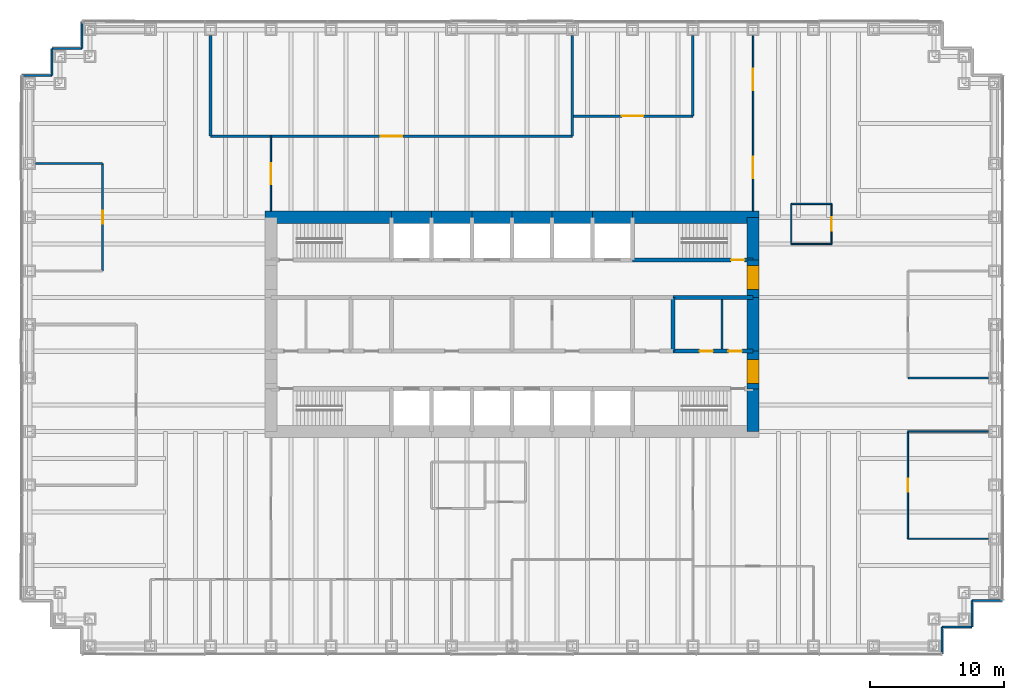
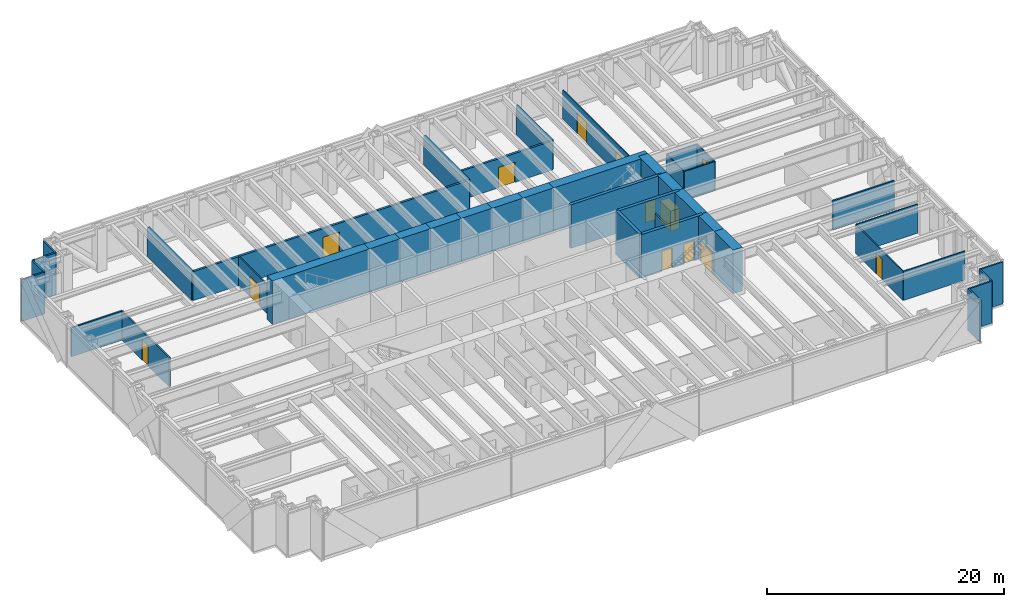
# One storey, part 11 of 13: 43 walls, 13 doors, 13 openings.
"""IFC4 building model written with IfcOpenShell, lengths in metres."""

from ifc_helpers import new_model, si_unit, direction, frame, frame_2d, origin, place, context, subcontext, project, spatial, rectangle, extrude, material, layer, layer_set, type_object, element, fill, save


model = new_model("IFC4")

# Units and contexts
model_context = context("Model", 3, precision=1e-05, world=origin(), true_north=direction((0.0, 1.0)))
body_context = subcontext(model_context, "Body", "Model", "MODEL_VIEW")
ifc_project = project(units=[si_unit("LENGTHUNIT", "METRE"), si_unit("AREAUNIT", "SQUARE_METRE"), si_unit("VOLUMEUNIT", "CUBIC_METRE"), si_unit("PLANEANGLEUNIT", "RADIAN"), si_unit("MASSUNIT", "GRAM", prefix="KILO")], contexts=[model_context])

# Site, building, storey
site_placement = place(None, origin())
site = spatial("IfcSite", under=ifc_project, at=site_placement, CompositionType="ELEMENT")
building_placement = place(site_placement, origin())
building = spatial("IfcBuilding", under=site, at=building_placement, Name="Rheinbord Bourse Tower", CompositionType="ELEMENT")
storey_placement = place(building_placement, frame((0.0, 0.0, 59.0)))
storey = spatial("IfcBuildingStorey", under=building, at=storey_placement, Name="L12", CompositionType="ELEMENT", Elevation=59.0)

# Wall, opening, door
ifc_material_1 = material(Name="Acoustic gypsum board partition", Category="gypsum board")
ifc_layer_1 = layer(ifc_material_1, 0.199951171875)
ifc_layer_set_1 = layer_set([ifc_layer_1], Name="ACOUSTIC PARTITION 200")
wall_type_1 = type_object("IfcWallType", Name="ACOUSTIC PARTITION 200", PredefinedType="PARTITIONING", material=ifc_layer_set_1)
wall_1_placement = place(storey_placement, frame((13.5, 38.050048828125, 0.0), z_axis=(0.0, 0.0, 1.0), x_axis=(1.0, 0.0, 0.0)))
wall_1 = element("IfcWall", 1, at=wall_1_placement, inside=storey, type_object=wall_type_1, Name="Partition L12-18", PredefinedType="PARTITIONING", context=body_context, shape_type="SweptSolid", body=[
    extrude(rectangle(XDim=27.0, YDim=0.199951171875, at=frame_2d((13.5, 0.0))), origin(), (0.0, 0.0, 1.0), 3.0),
])
opening_1_placement = place(wall_1_placement, frame((12.699951171875, 0.0, 0.0)))
opening_1 = element("IfcOpeningElement", 2, at=opening_1_placement, cuts=wall_1, Name="Opening 12D16", PredefinedType="OPENING", context=body_context, shape_type="SweptSolid", body=[
    extrude(rectangle(XDim=1.60009765625, YDim=2.10009765625, at=frame_2d((0.800048828125, 1.050048828125))), frame((0.0, 0.10986328125, 0.0), z_axis=(0.0, -1.0, 0.0), x_axis=(1.0, 0.0, 0.0)), (0.0, 0.0, 1.0), 0.219970703125),
])
ifc_material_2 = material(Name="Timber door", Category="wood")
door_type_1 = type_object("IfcDoorType", Name="DOUBLE ROOM DOOR 1600", OperationType="DOUBLE_DOOR_DOUBLE_SWING", PredefinedType="DOOR", material=ifc_material_2)
door_1_placement = place(opening_1_placement, origin())
door_1 = element("IfcDoor", 3, at=door_1_placement, inside=storey, type_object=door_type_1, Name="Clearing operations room door L12", OperationType="SINGLE_SWING_LEFT", OverallHeight=2.10009765625, OverallWidth=1.60009765625, PredefinedType="DOOR", context=body_context, shape_type="SweptSolid", body=[
    extrude(rectangle(XDim=1.60009765625, YDim=2.10009765625, at=frame_2d((0.800048828125, 1.050048828125))), frame((0.0, 0.02490234375, 0.0), z_axis=(0.0, -1.0, 0.0), x_axis=(1.0, 0.0, 0.0)), (0.0, 0.0, 1.0), 0.050048828125),
])
fill(opening_1, door_1)

wall_2_placement = place(storey_placement, frame((40.5, 39.550048828125, 0.0), z_axis=(0.0, 0.0, 1.0), x_axis=(1.0, 0.0, 0.0)))
wall_2 = element("IfcWall", 4, at=wall_2_placement, inside=storey, type_object=wall_type_1, Name="Partition L12-19", PredefinedType="PARTITIONING", context=body_context, shape_type="SweptSolid", body=[
    extrude(rectangle(XDim=9.0, YDim=0.199951171875, at=frame_2d((4.5, 0.0))), origin(), (0.0, 0.0, 1.0), 3.0),
])
opening_2_placement = place(wall_2_placement, frame((3.699951171875, 0.0, 0.0)))
opening_2 = element("IfcOpeningElement", 5, at=opening_2_placement, cuts=wall_2, Name="Opening 12D17", PredefinedType="OPENING", context=body_context, shape_type="SweptSolid", body=[
    extrude(rectangle(XDim=1.60009765625, YDim=2.10009765625, at=frame_2d((0.800048828125, 1.050048828125))), frame((0.0, 0.10986328125, 0.0), z_axis=(0.0, -1.0, 0.0), x_axis=(1.0, 0.0, 0.0)), (0.0, 0.0, 1.0), 0.219970703125),
])
door_2_placement = place(opening_2_placement, origin())
door_2 = element("IfcDoor", 6, at=door_2_placement, inside=storey, type_object=door_type_1, Name="Default management room door L12", OperationType="SINGLE_SWING_LEFT", OverallHeight=2.10009765625, OverallWidth=1.60009765625, PredefinedType="DOOR", context=body_context, shape_type="SweptSolid", body=[
    extrude(rectangle(XDim=1.60009765625, YDim=2.10009765625, at=frame_2d((0.800048828125, 1.050048828125))), frame((0.0, 0.02490234375, 0.0), z_axis=(0.0, -1.0, 0.0), x_axis=(1.0, 0.0, 0.0)), (0.0, 0.0, 1.0), 0.050048828125),
])
fill(opening_2, door_2)

# Walls
for number, where, z_axis, x_axis, name in (
    (7, (13.5, 38.050048828125, 0.0), (0.0, 0.0, 1.0), (0.0, 1.0, 0.0), "Partition L12-24"),
    (8, (40.5, 38.050048828125, 0.0), (0.0, 0.0, 1.0), (0.0, 1.0, 0.0), "Partition L12-36"),
):
    element("IfcWall", number, at=place(storey_placement, frame(where, z_axis=z_axis, x_axis=x_axis)), inside=storey, type_object=wall_type_1, Name=name, PredefinedType="PARTITIONING", context=body_context, shape_type="SweptSolid", body=[
        extrude(rectangle(XDim=7.5, YDim=0.199951171875, at=frame_2d((3.75, 0.0))), origin(), (0.0, 0.0, 1.0), 3.0),
    ])
wall_3_placement = place(storey_placement, frame((49.5, 39.550048828125, 0.0), z_axis=(0.0, 0.0, 1.0), x_axis=(0.0, 1.0, 0.0)))
element("IfcWall", 9, at=wall_3_placement, inside=storey, type_object=wall_type_1, Name="Partition L12-38", PredefinedType="PARTITIONING", context=body_context, shape_type="SweptSolid", body=[
    extrude(rectangle(XDim=6.0, YDim=0.199951171875, at=frame_2d((3.0, 0.0))), origin(), (0.0, 0.0, 1.0), 3.0),
])

# Wall, opening, door
ifc_material_3 = material(Name="Concrete C50/60", Category="concrete")
ifc_layer_2 = layer(ifc_material_3, 0.300048828125)
ifc_layer_set_2 = layer_set([ifc_layer_2], Name="CORE INNER WALL 300")
wall_type_2 = type_object("IfcWallType", Name="CORE INNER WALL 300", PredefinedType="SOLIDWALL", material=ifc_layer_set_2)
wall_4_placement = place(storey_placement, frame((45.0, 28.800048828125, 0.0), z_axis=(0.0, 0.0, 1.0), x_axis=(1.0, 0.0, 0.0)))
wall_4 = element("IfcWall", 10, at=wall_4_placement, inside=storey, type_object=wall_type_2, Name="Core wall B8 L12", PredefinedType="SOLIDWALL", context=body_context, shape_type="SweptSolid", body=[
    extrude(rectangle(XDim=9.0, YDim=0.300048828125, at=frame_2d((4.5, 0.0))), origin(), (0.0, 0.0, 1.0), 4.5),
])
opening_3_placement = place(wall_4_placement, frame((7.35009765625, 0.0, 0.0)))
opening_3 = element("IfcOpeningElement", 11, at=opening_3_placement, cuts=wall_4, Name="Opening 1240", PredefinedType="OPENING", context=body_context, shape_type="SweptSolid", body=[
    extrude(rectangle(XDim=1.0, YDim=2.10009765625, at=frame_2d((0.5, 1.050048828125))), frame((0.0, 0.159912109375, 0.0), z_axis=(0.0, -1.0, 0.0), x_axis=(1.0, 0.0, 0.0)), (0.0, 0.0, 1.0), 0.320068359375),
])
ifc_material_4 = material(Name="Steel door", Category="steel")
door_type_2 = type_object("IfcDoorType", Name="DOOR 1000 EI30", OperationType="SINGLE_SWING_LEFT", PredefinedType="DOOR", material=ifc_material_4)
door_3_placement = place(opening_3_placement, origin())
door_3 = element("IfcDoor", 12, at=door_3_placement, inside=storey, type_object=door_type_2, Name="Stair door ST4 L12", OperationType="SINGLE_SWING_RIGHT", OverallHeight=2.10009765625, OverallWidth=1.0, PredefinedType="DOOR", context=body_context, shape_type="SweptSolid", body=[
    extrude(rectangle(XDim=1.0, YDim=2.10009765625, at=frame_2d((0.5, 1.050048828125))), frame((0.0, 0.02490234375, 0.0), z_axis=(0.0, -1.0, 0.0), x_axis=(1.0, 0.0, 0.0)), (0.0, 0.0, 1.0), 0.050048828125),
])
fill(opening_3, door_3)

# Wall, openings, doors
wall_5_placement = place(storey_placement, frame((48.0, 22.0, 0.0), z_axis=(0.0, 0.0, 1.0), x_axis=(1.0, 0.0, 0.0)))
wall_5 = element("IfcWall", 13, at=wall_5_placement, inside=storey, type_object=wall_type_2, Name="Core wall C6 L12", PredefinedType="SOLIDWALL", context=body_context, shape_type="SweptSolid", body=[
    extrude(rectangle(XDim=6.0, YDim=0.300048828125, at=frame_2d((3.0, 0.0))), origin(), (0.0, 0.0, 1.0), 4.5),
])
opening_4_placement = place(wall_5_placement, frame((2.0, 0.0, 0.0)))
opening_4 = element("IfcOpeningElement", 14, at=opening_4_placement, cuts=wall_5, Name="Opening 12R6", PredefinedType="OPENING", context=body_context, shape_type="SweptSolid", body=[
    extrude(rectangle(XDim=1.0, YDim=2.10009765625, at=frame_2d((0.5, 1.050048828125))), frame((0.0, 0.159912109375, 0.0), z_axis=(0.0, -1.0, 0.0), x_axis=(1.0, 0.0, 0.0)), (0.0, 0.0, 1.0), 0.320068359375),
])
opening_5_placement = place(wall_5_placement, frame((4.14990234375, 0.0, 0.0)))
opening_5 = element("IfcOpeningElement", 15, at=opening_5_placement, cuts=wall_5, Name="Opening 12R10", PredefinedType="OPENING", context=body_context, shape_type="SweptSolid", body=[
    extrude(rectangle(XDim=1.0, YDim=2.10009765625, at=frame_2d((0.5, 1.050048828125))), frame((0.0, 0.159912109375, 0.0), z_axis=(0.0, -1.0, 0.0), x_axis=(1.0, 0.0, 0.0)), (0.0, 0.0, 1.0), 0.320068359375),
])
door_4_placement = place(opening_5_placement, origin())
door_4 = element("IfcDoor", 16, at=door_4_placement, inside=storey, type_object=door_type_2, Name="Baby change door L12", OperationType="SINGLE_SWING_RIGHT", OverallHeight=2.10009765625, OverallWidth=1.0, PredefinedType="DOOR", context=body_context, shape_type="SweptSolid", body=[
    extrude(rectangle(XDim=1.0, YDim=2.10009765625, at=frame_2d((0.5, 1.050048828125))), frame((0.0, 0.02490234375, 0.0), z_axis=(0.0, -1.0, 0.0), x_axis=(1.0, 0.0, 0.0)), (0.0, 0.0, 1.0), 0.050048828125),
])
fill(opening_5, door_4)
ifc_material_5 = material(Name="Timber door", Category="wood")
door_type_3 = type_object("IfcDoorType", Name="DOOR 1000 WC", OperationType="SINGLE_SWING_LEFT", PredefinedType="DOOR", material=ifc_material_5)
door_5_placement = place(opening_4_placement, origin())
door_5 = element("IfcDoor", 17, at=door_5_placement, inside=storey, type_object=door_type_3, Name="WC women door L12", OperationType="SINGLE_SWING_LEFT", OverallHeight=2.10009765625, OverallWidth=1.0, PredefinedType="DOOR", context=body_context, shape_type="SweptSolid", body=[
    extrude(rectangle(XDim=1.0, YDim=2.10009765625, at=frame_2d((0.5, 1.050048828125))), frame((0.0, 0.02490234375, 0.0), z_axis=(0.0, -1.0, 0.0), x_axis=(1.0, 0.0, 0.0)), (0.0, 0.0, 1.0), 0.050048828125),
])
fill(opening_4, door_5)

# Walls
wall_6_placement = place(storey_placement, frame((48.0, 26.0, 0.0), z_axis=(0.0, 0.0, 1.0), x_axis=(1.0, 0.0, 0.0)))
element("IfcWall", 18, at=wall_6_placement, inside=storey, type_object=wall_type_2, Name="Core wall D6 L12", PredefinedType="SOLIDWALL", context=body_context, shape_type="SweptSolid", body=[
    extrude(rectangle(XDim=6.0, YDim=0.300048828125, at=frame_2d((3.0, 0.0))), origin(), (0.0, 0.0, 1.0), 4.5),
])
wall_7_placement = place(storey_placement, frame((48.0, 22.0, 0.0), z_axis=(0.0, 0.0, 1.0), x_axis=(0.0, 1.0, 0.0)))
element("IfcWall", 19, at=wall_7_placement, inside=storey, type_object=wall_type_2, Name="Core wall MX48 L12", PredefinedType="SOLIDWALL", context=body_context, shape_type="SweptSolid", body=[
    extrude(rectangle(XDim=4.0, YDim=0.300048828125, at=frame_2d((2.0, 0.0))), origin(), (0.0, 0.0, 1.0), 4.5),
])
ifc_material_6 = material(Name="Gypsum board fire partition", Category="gypsum board")
ifc_layer_3 = layer(ifc_material_6, 0.14990234375)
ifc_layer_set_3 = layer_set([ifc_layer_3], Name="CORE PARTITION 150 EI30")
wall_type_3 = type_object("IfcWallType", Name="CORE PARTITION 150 EI30", PredefinedType="PARTITIONING", material=ifc_layer_set_3)
wall_8_placement = place(storey_placement, frame((51.675048828125, 22.14990234375, 0.0), z_axis=(0.0, 0.0, 1.0), x_axis=(0.0, 1.0, 0.0)))
element("IfcWall", 20, at=wall_8_placement, inside=storey, type_object=wall_type_3, Name="Core partition L12-3", PredefinedType="PARTITIONING", context=body_context, shape_type="SweptSolid", body=[
    extrude(rectangle(XDim=3.7001953125, YDim=0.14990234375, at=frame_2d((1.85009765625, 0.0))), origin(), (0.0, 0.0, 1.0), 3.0),
])
ifc_material_7 = material(Name="Concrete C50/60", Category="concrete")
ifc_layer_4 = layer(ifc_material_7, 0.89990234375)
ifc_layer_set_4 = layer_set([ifc_layer_4], Name="CORE WALL 900")
wall_type_4 = type_object("IfcWallType", Name="CORE WALL 900", PredefinedType="SHEAR", material=ifc_layer_set_4)
wall_9_placement = place(storey_placement, frame((54.449951171875, 32.0, 0.0), z_axis=(0.0, 0.0, 1.0), x_axis=(-1.0, 0.0, 0.0)))
element("IfcWall", 21, at=wall_9_placement, inside=storey, type_object=wall_type_4, Name="Core wall N1 L12", PredefinedType="SHEAR", context=body_context, shape_type="SweptSolid", body=[
    extrude(rectangle(XDim=9.449951171875, YDim=0.89990234375, at=frame_2d((4.72509765625, 0.0))), origin(), (0.0, 0.0, 1.0), 4.5),
])
for number, where, z_axis, x_axis, name in (
    (22, (45.0, 32.0, 0.0), (0.0, 0.0, 1.0), (-1.0, 0.0, 0.0), "Core wall N2 L12"),
    (23, (42.0, 32.0, 0.0), (0.0, 0.0, 1.0), (-1.0, 0.0, 0.0), "Core wall N3 L12"),
    (24, (39.0, 32.0, 0.0), (0.0, 0.0, 1.0), (-1.0, 0.0, 0.0), "Core wall N4 L12"),
    (25, (36.0, 32.0, 0.0), (0.0, 0.0, 1.0), (-1.0, 0.0, 0.0), "Core wall N5 L12"),
    (26, (33.0, 32.0, 0.0), (0.0, 0.0, 1.0), (-1.0, 0.0, 0.0), "Core wall N6 L12"),
    (27, (30.0, 32.0, 0.0), (0.0, 0.0, 1.0), (-1.0, 0.0, 0.0), "Core wall N7 L12"),
):
    element("IfcWall", number, at=place(storey_placement, frame(where, z_axis=z_axis, x_axis=x_axis)), inside=storey, type_object=wall_type_4, Name=name, PredefinedType="SHEAR", context=body_context, shape_type="SweptSolid", body=[
        extrude(rectangle(XDim=3.0, YDim=0.89990234375, at=frame_2d((1.5, 0.0))), origin(), (0.0, 0.0, 1.0), 4.5),
    ])
wall_10_placement = place(storey_placement, frame((27.0, 32.0, 0.0), z_axis=(0.0, 0.0, 1.0), x_axis=(-1.0, 0.0, 0.0)))
element("IfcWall", 28, at=wall_10_placement, inside=storey, type_object=wall_type_4, Name="Core wall N8 L12", PredefinedType="SHEAR", context=body_context, shape_type="SweptSolid", body=[
    extrude(rectangle(XDim=9.449951171875, YDim=0.89990234375, at=frame_2d((4.72509765625, 0.0))), origin(), (0.0, 0.0, 1.0), 4.5),
])
wall_11_placement = place(storey_placement, frame((54.0, 16.0, 0.0), z_axis=(0.0, 0.0, 1.0), x_axis=(0.0, 1.0, 0.0)))
element("IfcWall", 29, at=wall_11_placement, inside=storey, type_object=wall_type_4, Name="Core wall E1 L12", PredefinedType="SHEAR", context=body_context, shape_type="SweptSolid", body=[
    extrude(rectangle(XDim=3.199951171875, YDim=0.89990234375, at=frame_2d((1.60009765625, 0.0))), origin(), (0.0, 0.0, 1.0), 4.5),
])

# Wall, opening, door
wall_12_placement = place(storey_placement, frame((54.0, 19.199951171875, 0.0), z_axis=(0.0, 0.0, 1.0), x_axis=(0.0, 1.0, 0.0)))
wall_12 = element("IfcWall", 30, at=wall_12_placement, inside=storey, type_object=wall_type_4, Name="Core wall E2 L12", PredefinedType="SHEAR", context=body_context, shape_type="SweptSolid", body=[
    extrude(rectangle(XDim=2.800048828125, YDim=0.89990234375, at=frame_2d((1.39990234375, 0.0))), origin(), (0.0, 0.0, 1.0), 4.5),
])
opening_6_placement = place(wall_12_placement, frame((0.39990234375, 0.0, 0.0)))
opening_6 = element("IfcOpeningElement", 31, at=opening_6_placement, cuts=wall_12, Name="Opening 12L3", PredefinedType="OPENING", context=body_context, shape_type="SweptSolid", body=[
    extrude(rectangle(XDim=1.800048828125, YDim=2.10009765625, at=frame_2d((0.89990234375, 1.050048828125))), frame((0.0, 0.4599609375, 0.0), z_axis=(0.0, -1.0, 0.0), x_axis=(1.0, 0.0, 0.0)), (0.0, 0.0, 1.0), 0.919921875),
])
ifc_material_8 = material(Name="Steel door", Category="steel")
door_type_4 = type_object("IfcDoorType", Name="DOOR 1800 EI30 DOUBLE", OperationType="DOUBLE_DOOR_DOUBLE_SWING", PredefinedType="DOOR", material=ifc_material_8)
door_6_placement = place(opening_6_placement, origin())
door_6 = element("IfcDoor", 32, at=door_6_placement, inside=storey, type_object=door_type_4, Name="Lobby door 3 L12", OperationType="SINGLE_SWING_LEFT", OverallHeight=2.10009765625, OverallWidth=1.800048828125, PredefinedType="DOOR", context=body_context, shape_type="SweptSolid", body=[
    extrude(rectangle(XDim=1.800048828125, YDim=2.10009765625, at=frame_2d((0.89990234375, 1.050048828125))), frame((0.0, 0.44970703125, 0.0), z_axis=(0.0, -1.0, 0.0), x_axis=(1.0, 0.0, 0.0)), (0.0, 0.0, 1.0), 0.8994140625),
])
fill(opening_6, door_6)

# Wall
wall_13_placement = place(storey_placement, frame((54.0, 22.0, 0.0), z_axis=(0.0, 0.0, 1.0), x_axis=(0.0, 1.0, 0.0)))
element("IfcWall", 33, at=wall_13_placement, inside=storey, type_object=wall_type_4, Name="Core wall E3 L12", PredefinedType="SHEAR", context=body_context, shape_type="SweptSolid", body=[
    extrude(rectangle(XDim=4.0, YDim=0.89990234375, at=frame_2d((2.0, 0.0))), origin(), (0.0, 0.0, 1.0), 4.5),
])

# Wall, opening, door
wall_14_placement = place(storey_placement, frame((54.0, 26.0, 0.0), z_axis=(0.0, 0.0, 1.0), x_axis=(0.0, 1.0, 0.0)))
wall_14 = element("IfcWall", 34, at=wall_14_placement, inside=storey, type_object=wall_type_4, Name="Core wall E4 L12", PredefinedType="SHEAR", context=body_context, shape_type="SweptSolid", body=[
    extrude(rectangle(XDim=2.800048828125, YDim=0.89990234375, at=frame_2d((1.39990234375, 0.0))), origin(), (0.0, 0.0, 1.0), 4.5),
])
opening_7_placement = place(wall_14_placement, frame((0.60009765625, 0.0, 0.0)))
opening_7 = element("IfcOpeningElement", 35, at=opening_7_placement, cuts=wall_14, Name="Opening 12L4", PredefinedType="OPENING", context=body_context, shape_type="SweptSolid", body=[
    extrude(rectangle(XDim=1.800048828125, YDim=2.10009765625, at=frame_2d((0.89990234375, 1.050048828125))), frame((0.0, 0.4599609375, 0.0), z_axis=(0.0, -1.0, 0.0), x_axis=(1.0, 0.0, 0.0)), (0.0, 0.0, 1.0), 0.919921875),
])
door_7_placement = place(opening_7_placement, origin())
door_7 = element("IfcDoor", 36, at=door_7_placement, inside=storey, type_object=door_type_4, Name="Lobby door 4 L12", OperationType="SINGLE_SWING_LEFT", OverallHeight=2.10009765625, OverallWidth=1.800048828125, PredefinedType="DOOR", context=body_context, shape_type="SweptSolid", body=[
    extrude(rectangle(XDim=1.800048828125, YDim=2.10009765625, at=frame_2d((0.89990234375, 1.050048828125))), frame((0.0, 0.44970703125, 0.0), z_axis=(0.0, -1.0, 0.0), x_axis=(1.0, 0.0, 0.0)), (0.0, 0.0, 1.0), 0.8994140625),
])
fill(opening_7, door_7)

# Walls
wall_15_placement = place(storey_placement, frame((54.0, 28.800048828125, 0.0), z_axis=(0.0, 0.0, 1.0), x_axis=(0.0, 1.0, 0.0)))
element("IfcWall", 37, at=wall_15_placement, inside=storey, type_object=wall_type_4, Name="Core wall E5 L12", PredefinedType="SHEAR", context=body_context, shape_type="SweptSolid", body=[
    extrude(rectangle(XDim=3.199951171875, YDim=0.89990234375, at=frame_2d((1.60009765625, 0.0))), origin(), (0.0, 0.0, 1.0), 4.5),
])
ifc_material_9 = material(Name="Black metal rainscreen panel", Category="aluminium")
ifc_layer_5 = layer(ifc_material_9, 0.14990234375)
ifc_layer_set_5 = layer_set([ifc_layer_5], Name="CORNER PIER CLADDING 150")
wall_type_5 = type_object("IfcWallType", Name="CORNER PIER CLADDING 150", PredefinedType="ELEMENTEDWALL", material=ifc_layer_set_5)
wall_16_placement = place(storey_placement, frame((68.10009765625, -0.60009765625, 0.0), z_axis=(0.0, 0.0, 1.0), x_axis=(0.0, 1.0, 0.0)))
element("IfcWall", 38, at=wall_16_placement, inside=storey, type_object=wall_type_5, Name="Corner pier cladding L12 2", PredefinedType="ELEMENTEDWALL", context=body_context, shape_type="SweptSolid", body=[
    extrude(rectangle(XDim=2.0, YDim=0.14990234375, at=frame_2d((1.0, 0.0))), origin(), (0.0, 0.0, 1.0), 4.320068359375),
])
wall_17_placement = place(storey_placement, frame((68.10009765625, 1.39990234375, 0.0), z_axis=(0.0, 0.0, 1.0), x_axis=(1.0, 0.0, 0.0)))
element("IfcWall", 39, at=wall_17_placement, inside=storey, type_object=wall_type_5, Name="Corner pier cladding L12 3", PredefinedType="ELEMENTEDWALL", context=body_context, shape_type="SweptSolid", body=[
    extrude(rectangle(XDim=2.25, YDim=0.14990234375, at=frame_2d((1.125, 0.0))), origin(), (0.0, 0.0, 1.0), 4.320068359375),
])
wall_18_placement = place(storey_placement, frame((70.35009765625, 1.39990234375, 0.0), z_axis=(0.0, 0.0, 1.0), x_axis=(0.0, 1.0, 0.0)))
element("IfcWall", 40, at=wall_18_placement, inside=storey, type_object=wall_type_5, Name="Corner pier cladding L12 4", PredefinedType="ELEMENTEDWALL", context=body_context, shape_type="SweptSolid", body=[
    extrude(rectangle(XDim=2.0, YDim=0.14990234375, at=frame_2d((1.0, 0.0))), origin(), (0.0, 0.0, 1.0), 4.320068359375),
])
wall_19_placement = place(storey_placement, frame((70.35009765625, 3.39990234375, 0.0), z_axis=(0.0, 0.0, 1.0), x_axis=(1.0, 0.0, 0.0)))
element("IfcWall", 41, at=wall_19_placement, inside=storey, type_object=wall_type_5, Name="Corner pier cladding L12 5", PredefinedType="ELEMENTEDWALL", context=body_context, shape_type="SweptSolid", body=[
    extrude(rectangle(XDim=2.25, YDim=0.14990234375, at=frame_2d((1.125, 0.0))), origin(), (0.0, 0.0, 1.0), 4.320068359375),
])
wall_20_placement = place(storey_placement, frame((3.89990234375, 46.60009765625, 0.0), z_axis=(0.0, 0.0, 1.0), x_axis=(0.0, -1.0, 0.0)))
element("IfcWall", 42, at=wall_20_placement, inside=storey, type_object=wall_type_5, Name="Corner pier cladding L12 12", PredefinedType="ELEMENTEDWALL", context=body_context, shape_type="SweptSolid", body=[
    extrude(rectangle(XDim=2.0, YDim=0.14990234375, at=frame_2d((1.0, 0.0))), origin(), (0.0, 0.0, 1.0), 4.320068359375),
])
wall_21_placement = place(storey_placement, frame((3.89990234375, 44.60009765625, 0.0), z_axis=(0.0, 0.0, 1.0), x_axis=(-1.0, 0.0, 0.0)))
element("IfcWall", 43, at=wall_21_placement, inside=storey, type_object=wall_type_5, Name="Corner pier cladding L12 13", PredefinedType="ELEMENTEDWALL", context=body_context, shape_type="SweptSolid", body=[
    extrude(rectangle(XDim=2.25, YDim=0.14990234375, at=frame_2d((1.125, 0.0))), origin(), (0.0, 0.0, 1.0), 4.320068359375),
])
wall_22_placement = place(storey_placement, frame((1.64990234375, 44.60009765625, 0.0), z_axis=(0.0, 0.0, 1.0), x_axis=(0.0, -1.0, 0.0)))
element("IfcWall", 44, at=wall_22_placement, inside=storey, type_object=wall_type_5, Name="Corner pier cladding L12 14", PredefinedType="ELEMENTEDWALL", context=body_context, shape_type="SweptSolid", body=[
    extrude(rectangle(XDim=2.0, YDim=0.14990234375, at=frame_2d((1.0, 0.0))), origin(), (0.0, 0.0, 1.0), 4.320068359375),
])
wall_23_placement = place(storey_placement, frame((1.64990234375, 42.60009765625, 0.0), z_axis=(0.0, 0.0, 1.0), x_axis=(-1.0, 0.0, 0.0)))
element("IfcWall", 45, at=wall_23_placement, inside=storey, type_object=wall_type_5, Name="Corner pier cladding L12 15", PredefinedType="ELEMENTEDWALL", context=body_context, shape_type="SweptSolid", body=[
    extrude(rectangle(XDim=2.25, YDim=0.14990234375, at=frame_2d((1.125, 0.0))), origin(), (0.0, 0.0, 1.0), 4.320068359375),
])
ifc_material_10 = material(Name="Gypsum board fire partition", Category="gypsum board")
ifc_layer_6 = layer(ifc_material_10, 0.14990234375)
ifc_layer_set_6 = layer_set([ifc_layer_6], Name="FIRE PARTITION 150 EI60")
wall_type_6 = type_object("IfcWallType", Name="FIRE PARTITION 150 EI60", PredefinedType="PARTITIONING", material=ifc_layer_set_6)
wall_24_placement = place(storey_placement, frame((0.449951171875, 36.0, 0.0), z_axis=(0.0, 0.0, 1.0), x_axis=(1.0, 0.0, 0.0)))
element("IfcWall", 46, at=wall_24_placement, inside=storey, type_object=wall_type_6, Name="Partition L12-17", PredefinedType="PARTITIONING", context=body_context, shape_type="SweptSolid", body=[
    extrude(rectangle(XDim=5.0, YDim=0.14990234375, at=frame_2d((2.5, 0.0))), origin(), (0.0, 0.0, 1.0), 3.0),
])

# Wall, opening, door
wall_25_placement = place(storey_placement, frame((5.449951171875, 28.0, 0.0), z_axis=(0.0, 0.0, 1.0), x_axis=(0.0, 1.0, 0.0)))
wall_25 = element("IfcWall", 47, at=wall_25_placement, inside=storey, type_object=wall_type_6, Name="Partition L12-20", PredefinedType="PARTITIONING", context=body_context, shape_type="SweptSolid", body=[
    extrude(rectangle(XDim=8.0, YDim=0.14990234375, at=frame_2d((4.0, 0.0))), origin(), (0.0, 0.0, 1.0), 3.0),
])
opening_8_placement = place(wall_25_placement, frame((3.5, 0.0, 0.0)))
opening_8 = element("IfcOpeningElement", 48, at=opening_8_placement, cuts=wall_25, Name="Opening 12D15", PredefinedType="OPENING", context=body_context, shape_type="SweptSolid", body=[
    extrude(rectangle(XDim=1.0, YDim=2.10009765625, at=frame_2d((0.5, 1.050048828125))), frame((0.0, 0.0849609375, 0.0), z_axis=(0.0, -1.0, 0.0), x_axis=(1.0, 0.0, 0.0)), (0.0, 0.0, 1.0), 0.169921875),
])
ifc_material_11 = material(Name="Timber fire door", Category="wood")
door_type_5 = type_object("IfcDoorType", Name="FIRE DOOR 1000 EI60", OperationType="SINGLE_SWING_LEFT", PredefinedType="DOOR", material=ifc_material_11)
door_8_placement = place(opening_8_placement, origin())
door_8 = element("IfcDoor", 49, at=door_8_placement, inside=storey, type_object=door_type_5, Name="Archive door L12", OperationType="SINGLE_SWING_LEFT", OverallHeight=2.10009765625, OverallWidth=1.0, PredefinedType="DOOR", context=body_context, shape_type="SweptSolid", body=[
    extrude(rectangle(XDim=1.0, YDim=2.10009765625, at=frame_2d((0.5, 1.050048828125))), frame((0.0, 0.02490234375, 0.0), z_axis=(0.0, -1.0, 0.0), x_axis=(1.0, 0.0, 0.0)), (0.0, 0.0, 1.0), 0.050048828125),
])
fill(opening_8, door_8)

# Walls
ifc_material_12 = material(Name="Toughened laminated glass partition", Category="glass")
ifc_layer_7 = layer(ifc_material_12, 0.10009765625)
ifc_layer_set_7 = layer_set([ifc_layer_7], Name="GLAZED PARTITION 100")
wall_type_7 = type_object("IfcWallType", Name="GLAZED PARTITION 100", PredefinedType="PARTITIONING", material=ifc_layer_set_7)
for number, where, z_axis, x_axis, name in (
    (50, (65.550048828125, 8.0, 0.0), (0.0, 0.0, 1.0), (1.0, 0.0, 0.0), "Partition L12-04"),
    (51, (65.550048828125, 16.0, 0.0), (0.0, 0.0, 1.0), (1.0, 0.0, 0.0), "Partition L12-10"),
):
    element("IfcWall", number, at=place(storey_placement, frame(where, z_axis=z_axis, x_axis=x_axis)), inside=storey, type_object=wall_type_7, Name=name, PredefinedType="PARTITIONING", context=body_context, shape_type="SweptSolid", body=[
        extrude(rectangle(XDim=6.0, YDim=0.10009765625, at=frame_2d((3.0, 0.0))), origin(), (0.0, 0.0, 1.0), 3.0),
    ])
for number, where, z_axis, x_axis, name in (
    (52, (56.85009765625, 30.0, 0.0), (0.0, 0.0, 1.0), (1.0, 0.0, 0.0), "Partition L12-15"),
    (53, (56.85009765625, 33.0, 0.0), (0.0, 0.0, 1.0), (1.0, 0.0, 0.0), "Partition L12-16"),
):
    element("IfcWall", number, at=place(storey_placement, frame(where, z_axis=z_axis, x_axis=x_axis)), inside=storey, type_object=wall_type_7, Name=name, PredefinedType="PARTITIONING", context=body_context, shape_type="SweptSolid", body=[
        extrude(rectangle(XDim=3.0, YDim=0.10009765625, at=frame_2d((1.5, 0.0))), origin(), (0.0, 0.0, 1.0), 3.0),
    ])

# Wall, opening, door
wall_26_placement = place(storey_placement, frame((18.0, 32.449951171875, 0.0), z_axis=(0.0, 0.0, 1.0), x_axis=(0.0, 1.0, 0.0)))
wall_26 = element("IfcWall", 54, at=wall_26_placement, inside=storey, type_object=wall_type_7, Name="Partition L12-27", PredefinedType="PARTITIONING", context=body_context, shape_type="SweptSolid", body=[
    extrude(rectangle(XDim=5.60009765625, YDim=0.10009765625, at=frame_2d((2.800048828125, 0.0))), origin(), (0.0, 0.0, 1.0), 3.0),
])
opening_9_placement = place(wall_26_placement, frame((2.0, 0.0, 0.0)))
opening_9 = element("IfcOpeningElement", 55, at=opening_9_placement, cuts=wall_26, Name="Opening 12D19", PredefinedType="OPENING", context=body_context, shape_type="SweptSolid", body=[
    extrude(rectangle(XDim=1.60009765625, YDim=2.10009765625, at=frame_2d((0.800048828125, 1.050048828125))), frame((0.0, 0.06005859375, 0.0), z_axis=(0.0, -1.0, 0.0), x_axis=(1.0, 0.0, 0.0)), (0.0, 0.0, 1.0), 0.1201171875),
])
door_9_placement = place(opening_9_placement, origin())
door_9 = element("IfcDoor", 56, at=door_9_placement, inside=storey, type_object=door_type_1, Name="Open area door L12", OperationType="SINGLE_SWING_LEFT", OverallHeight=2.10009765625, OverallWidth=1.60009765625, PredefinedType="DOOR", context=body_context, shape_type="SweptSolid", body=[
    extrude(rectangle(XDim=1.60009765625, YDim=2.10009765625, at=frame_2d((0.800048828125, 1.050048828125))), frame((0.0, 0.02490234375, 0.0), z_axis=(0.0, -1.0, 0.0), x_axis=(1.0, 0.0, 0.0)), (0.0, 0.0, 1.0), 0.050048828125),
])
fill(opening_9, door_9)

# Wall, openings, doors
wall_27_placement = place(storey_placement, frame((54.0, 32.449951171875, 0.0), z_axis=(0.0, 0.0, 1.0), x_axis=(0.0, 1.0, 0.0)))
wall_27 = element("IfcWall", 57, at=wall_27_placement, inside=storey, type_object=wall_type_7, Name="Partition L12-39", PredefinedType="PARTITIONING", context=body_context, shape_type="SweptSolid", body=[
    extrude(rectangle(XDim=13.10009765625, YDim=0.10009765625, at=frame_2d((6.550048828125, 0.0))), origin(), (0.0, 0.0, 1.0), 3.0),
])
opening_10_placement = place(wall_27_placement, frame((2.47509765625, 0.0, 0.0)))
opening_10 = element("IfcOpeningElement", 58, at=opening_10_placement, cuts=wall_27, Name="Opening 12D21", PredefinedType="OPENING", context=body_context, shape_type="SweptSolid", body=[
    extrude(rectangle(XDim=1.60009765625, YDim=2.10009765625, at=frame_2d((0.800048828125, 1.050048828125))), frame((0.0, 0.06005859375, 0.0), z_axis=(0.0, -1.0, 0.0), x_axis=(1.0, 0.0, 0.0)), (0.0, 0.0, 1.0), 0.1201171875),
])
opening_11_placement = place(wall_27_placement, frame((9.02490234375, 0.0, 0.0)))
opening_11 = element("IfcOpeningElement", 59, at=opening_11_placement, cuts=wall_27, Name="Opening 12D22", PredefinedType="OPENING", context=body_context, shape_type="SweptSolid", body=[
    extrude(rectangle(XDim=1.60009765625, YDim=2.10009765625, at=frame_2d((0.800048828125, 1.050048828125))), frame((0.0, 0.06005859375, 0.0), z_axis=(0.0, -1.0, 0.0), x_axis=(1.0, 0.0, 0.0)), (0.0, 0.0, 1.0), 0.1201171875),
])
door_10_placement = place(opening_10_placement, origin())
door_10 = element("IfcDoor", 60, at=door_10_placement, inside=storey, type_object=door_type_1, Name="Open area door L12", OperationType="SINGLE_SWING_LEFT", OverallHeight=2.10009765625, OverallWidth=1.60009765625, PredefinedType="DOOR", context=body_context, shape_type="SweptSolid", body=[
    extrude(rectangle(XDim=1.60009765625, YDim=2.10009765625, at=frame_2d((0.800048828125, 1.050048828125))), frame((0.0, 0.02490234375, 0.0), z_axis=(0.0, -1.0, 0.0), x_axis=(1.0, 0.0, 0.0)), (0.0, 0.0, 1.0), 0.050048828125),
])
fill(opening_10, door_10)
door_11_placement = place(opening_11_placement, origin())
door_11 = element("IfcDoor", 61, at=door_11_placement, inside=storey, type_object=door_type_1, Name="Open area door L12", OperationType="SINGLE_SWING_LEFT", OverallHeight=2.10009765625, OverallWidth=1.60009765625, PredefinedType="DOOR", context=body_context, shape_type="SweptSolid", body=[
    extrude(rectangle(XDim=1.60009765625, YDim=2.10009765625, at=frame_2d((0.800048828125, 1.050048828125))), frame((0.0, 0.02490234375, 0.0), z_axis=(0.0, -1.0, 0.0), x_axis=(1.0, 0.0, 0.0)), (0.0, 0.0, 1.0), 0.050048828125),
])
fill(opening_11, door_11)

# Wall
wall_28_placement = place(storey_placement, frame((56.85009765625, 30.0, 0.0), z_axis=(0.0, 0.0, 1.0), x_axis=(0.0, 1.0, 0.0)))
element("IfcWall", 62, at=wall_28_placement, inside=storey, type_object=wall_type_7, Name="Partition L12-40", PredefinedType="PARTITIONING", context=body_context, shape_type="SweptSolid", body=[
    extrude(rectangle(XDim=3.0, YDim=0.10009765625, at=frame_2d((1.5, 0.0))), origin(), (0.0, 0.0, 1.0), 3.0),
])

# Wall, opening, door
wall_29_placement = place(storey_placement, frame((59.85009765625, 30.0, 0.0), z_axis=(0.0, 0.0, 1.0), x_axis=(0.0, 1.0, 0.0)))
wall_29 = element("IfcWall", 63, at=wall_29_placement, inside=storey, type_object=wall_type_7, Name="Partition L12-42", PredefinedType="PARTITIONING", context=body_context, shape_type="SweptSolid", body=[
    extrude(rectangle(XDim=3.0, YDim=0.10009765625, at=frame_2d((1.5, 0.0))), origin(), (0.0, 0.0, 1.0), 3.0),
])
opening_12_placement = place(wall_29_placement, frame((1.0, 0.0, 0.0)))
opening_12 = element("IfcOpeningElement", 64, at=opening_12_placement, cuts=wall_29, Name="Opening 12D14", PredefinedType="OPENING", context=body_context, shape_type="SweptSolid", body=[
    extrude(rectangle(XDim=1.0, YDim=2.10009765625, at=frame_2d((0.5, 1.050048828125))), frame((0.0, 0.06005859375, 0.0), z_axis=(0.0, -1.0, 0.0), x_axis=(1.0, 0.0, 0.0)), (0.0, 0.0, 1.0), 0.1201171875),
])
ifc_material_13 = material(Name="Timber door", Category="wood")
door_type_6 = type_object("IfcDoorType", Name="ROOM DOOR 1000", OperationType="SINGLE_SWING_LEFT", PredefinedType="DOOR", material=ifc_material_13)
door_12_placement = place(opening_12_placement, origin())
door_12 = element("IfcDoor", 65, at=door_12_placement, inside=storey, type_object=door_type_6, Name="Quiet room door L12", OperationType="SINGLE_SWING_LEFT", OverallHeight=2.10009765625, OverallWidth=1.0, PredefinedType="DOOR", context=body_context, shape_type="SweptSolid", body=[
    extrude(rectangle(XDim=1.0, YDim=2.10009765625, at=frame_2d((0.5, 1.050048828125))), frame((0.0, 0.02490234375, 0.0), z_axis=(0.0, -1.0, 0.0), x_axis=(1.0, 0.0, 0.0)), (0.0, 0.0, 1.0), 0.050048828125),
])
fill(opening_12, door_12)

wall_30_placement = place(storey_placement, frame((65.550048828125, 8.0, 0.0), z_axis=(0.0, 0.0, 1.0), x_axis=(0.0, 1.0, 0.0)))
wall_30 = element("IfcWall", 66, at=wall_30_placement, inside=storey, type_object=wall_type_7, Name="Partition L12-43", PredefinedType="PARTITIONING", context=body_context, shape_type="SweptSolid", body=[
    extrude(rectangle(XDim=8.0, YDim=0.10009765625, at=frame_2d((4.0, 0.0))), origin(), (0.0, 0.0, 1.0), 3.0),
])
opening_13_placement = place(wall_30_placement, frame((3.5, 0.0, 0.0)))
opening_13 = element("IfcOpeningElement", 67, at=opening_13_placement, cuts=wall_30, Name="Opening 12D10", PredefinedType="OPENING", context=body_context, shape_type="SweptSolid", body=[
    extrude(rectangle(XDim=1.0, YDim=2.10009765625, at=frame_2d((0.5, 1.050048828125))), frame((0.0, 0.06005859375, 0.0), z_axis=(0.0, -1.0, 0.0), x_axis=(1.0, 0.0, 0.0)), (0.0, 0.0, 1.0), 0.1201171875),
])
door_13_placement = place(opening_13_placement, origin())
door_13 = element("IfcDoor", 68, at=door_13_placement, inside=storey, type_object=door_type_6, Name="Meeting room door L12", OperationType="SINGLE_SWING_LEFT", OverallHeight=2.10009765625, OverallWidth=1.0, PredefinedType="DOOR", context=body_context, shape_type="SweptSolid", body=[
    extrude(rectangle(XDim=1.0, YDim=2.10009765625, at=frame_2d((0.5, 1.050048828125))), frame((0.0, 0.02490234375, 0.0), z_axis=(0.0, -1.0, 0.0), x_axis=(1.0, 0.0, 0.0)), (0.0, 0.0, 1.0), 0.050048828125),
])
fill(opening_13, door_13)

# Wall
ifc_material_14 = material(Name="Gypsum board partition", Category="gypsum board")
ifc_layer_8 = layer(ifc_material_14, 0.14990234375)
ifc_layer_set_8 = layer_set([ifc_layer_8], Name="PARTITION 150")
wall_type_8 = type_object("IfcWallType", Name="PARTITION 150", PredefinedType="PARTITIONING", material=ifc_layer_set_8)
wall_31_placement = place(storey_placement, frame((65.550048828125, 20.0, 0.0), z_axis=(0.0, 0.0, 1.0), x_axis=(1.0, 0.0, 0.0)))
element("IfcWall", 69, at=wall_31_placement, inside=storey, type_object=wall_type_8, Name="Partition L12-11", PredefinedType="PARTITIONING", context=body_context, shape_type="SweptSolid", body=[
    extrude(rectangle(XDim=6.0, YDim=0.14990234375, at=frame_2d((3.0, 0.0))), origin(), (0.0, 0.0, 1.0), 3.0),
])

save(model, "model.ifc")
